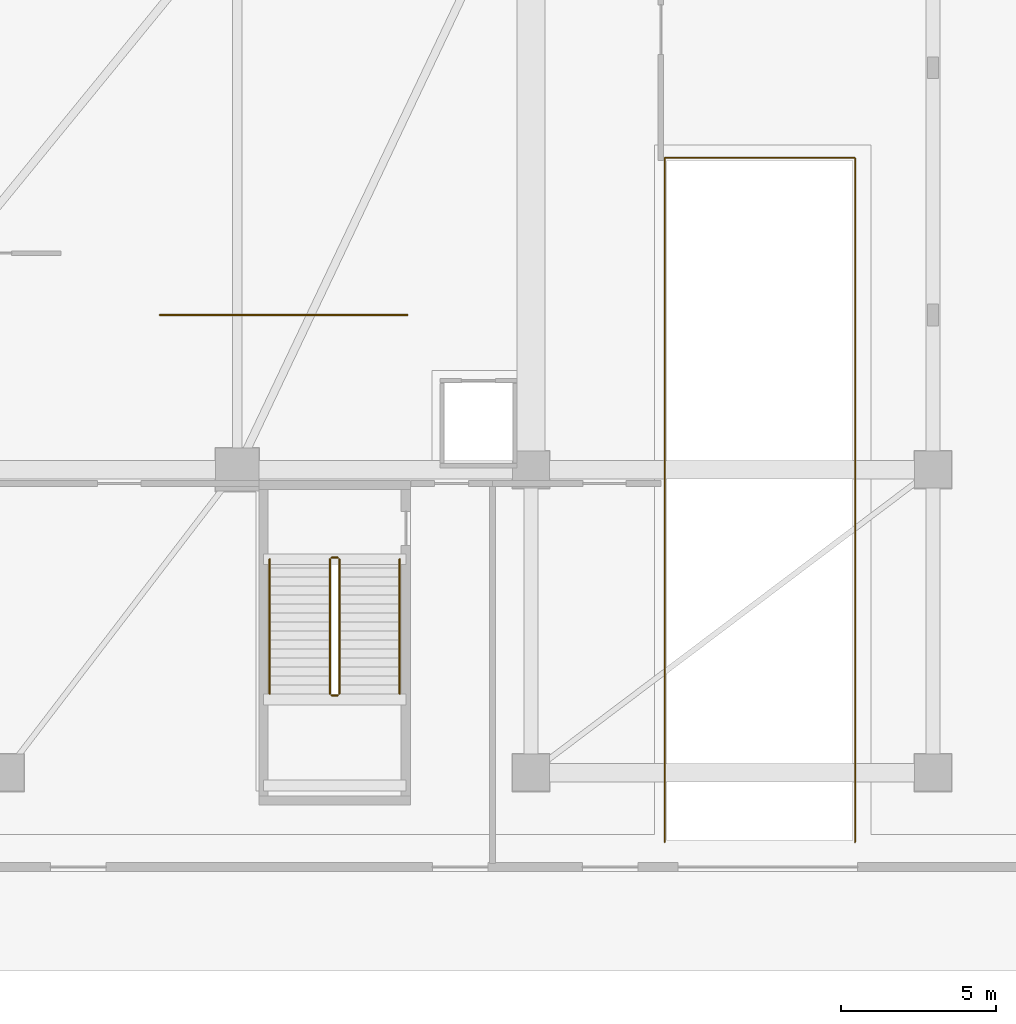
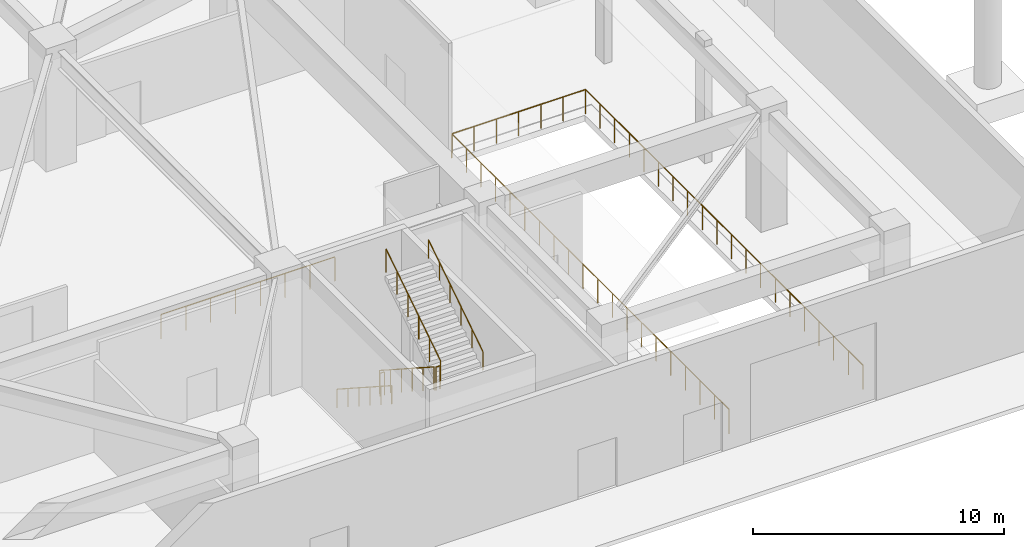
# One storey, part 8 of 13: 8 railings.
"""IFC4 building model written with IfcOpenShell, lengths in metres."""

from ifc_helpers import new_model, si_unit, direction, frame, origin, origin_2d, place, context, subcontext, project, spatial, circle, extrude, material, type_object, element, save


model = new_model("IFC4")

# Units and contexts
model_context = context("Model", 3, precision=1e-05, world=origin(), true_north=direction((0.0, 1.0)))
body_context = subcontext(model_context, "Body", "Model", "MODEL_VIEW")
ifc_project = project(units=[si_unit("LENGTHUNIT", "METRE"), si_unit("AREAUNIT", "SQUARE_METRE"), si_unit("VOLUMEUNIT", "CUBIC_METRE"), si_unit("PLANEANGLEUNIT", "RADIAN"), si_unit("MASSUNIT", "GRAM", prefix="KILO")], contexts=[model_context])

# Site, building, storey
site_placement = place(None, origin())
site = spatial("IfcSite", under=ifc_project, at=site_placement, CompositionType="ELEMENT")
building_placement = place(site_placement, origin())
building = spatial("IfcBuilding", under=site, at=building_placement, Name="Calvemar Wedge Station Tower", CompositionType="ELEMENT")
storey_placement = place(building_placement, origin())
storey = spatial("IfcBuildingStorey", under=building, at=storey_placement, Name="L01", CompositionType="ELEMENT", Elevation=0.0)

# Railings
ifc_material_1 = material(Name="Anodised aluminium 6063-T6", Category="aluminium")
railing_type_1 = type_object("IfcRailingType", Name="RL-BALUSTRADE-1200", PredefinedType="BALUSTRADE", material=ifc_material_1)
railing_1_placement = place(storey_placement, frame((36.0, 20.0, 0.0)))
element("IfcRailing", 1, at=railing_1_placement, inside=storey, type_object=railing_type_1, Name="Storey L01 Glazed Feature Balustrade 2", PredefinedType="BALUSTRADE", context=body_context, shape_type="SweptSolid", body=[
    extrude(circle(Radius=0.02392578125, at=origin_2d()), frame((0.0, 0.0, 1.17578125), z_axis=(1.0, 0.0, 0.0), x_axis=(0.0, 1.0, 0.0)), (0.0, 0.0, 1.0), 8.0),
    extrude(circle(Radius=0.02099609375, at=origin_2d()), origin(), (0.0, 0.0, 1.0), 1.15185546875),
    extrude(circle(Radius=0.02099609375, at=origin_2d()), frame((1.142822265625, 0.0, 0.0)), (0.0, 0.0, 1.0), 1.15185546875),
    extrude(circle(Radius=0.02099609375, at=origin_2d()), frame((2.28564453125, 0.0, 0.0)), (0.0, 0.0, 1.0), 1.15185546875),
    extrude(circle(Radius=0.02099609375, at=origin_2d()), frame((3.428466796875, 0.0, 0.0)), (0.0, 0.0, 1.0), 1.15185546875),
    extrude(circle(Radius=0.02099609375, at=origin_2d()), frame((4.571533203125, 0.0, 0.0)), (0.0, 0.0, 1.0), 1.15185546875),
    extrude(circle(Radius=0.02099609375, at=origin_2d()), frame((5.71435546875, 0.0, 0.0)), (0.0, 0.0, 1.0), 1.15185546875),
    extrude(circle(Radius=0.02099609375, at=origin_2d()), frame((6.857177734375, 0.0, 0.0)), (0.0, 0.0, 1.0), 1.15185546875),
    extrude(circle(Radius=0.02099609375, at=origin_2d()), frame((8.0, 0.0, 0.0)), (0.0, 0.0, 1.0), 1.15185546875),
])
ifc_material_2 = material(Name="Stainless steel AISI 316L", Category="steel")
railing_type_2 = type_object("IfcRailingType", Name="RL-HANDRAIL-920", PredefinedType="HANDRAIL", material=ifc_material_2)
railing_2_placement = place(storey_placement, frame((39.550048828125, 12.10009765625, 0.1875)))
element("IfcRailing", 2, at=railing_2_placement, inside=storey, type_object=railing_type_2, Name="L01 ST-P2 stair handrail 1", PredefinedType="HANDRAIL", context=body_context, shape_type="SweptSolid", body=[
    extrude(circle(Radius=0.02392578125, at=origin_2d()), frame((0.0, 0.0, 0.89599609375), z_axis=(0.0, -0.839769887392, 0.54294247967), x_axis=(1.0, 0.0, 0.0)), (0.0, 0.0, 1.0), 5.18017578125),
    extrude(circle(Radius=0.02099609375, at=origin_2d()), origin(), (0.0, 0.0, 1.0), 0.871826171875),
    extrude(circle(Radius=0.02099609375, at=origin_2d()), frame((0.0, -0.8701171875, 0.5625)), (0.0, 0.0, 1.0), 0.871826171875),
    extrude(circle(Radius=0.02099609375, at=origin_2d()), frame((0.0, -1.739990234375, 1.125)), (0.0, 0.0, 1.0), 0.871826171875),
    extrude(circle(Radius=0.02099609375, at=origin_2d()), frame((0.0, -2.610107421875, 1.6875)), (0.0, 0.0, 1.0), 0.871826171875),
    extrude(circle(Radius=0.02099609375, at=origin_2d()), frame((0.0, -3.47998046875, 2.25)), (0.0, 0.0, 1.0), 0.871826171875),
    extrude(circle(Radius=0.02099609375, at=origin_2d()), frame((0.0, -4.35009765625, 2.8125)), (0.0, 0.0, 1.0), 0.871826171875),
])
railing_3_placement = place(storey_placement, frame((43.75, 7.75, 3.1875)))
element("IfcRailing", 3, at=railing_3_placement, inside=storey, type_object=railing_type_2, Name="L01 ST-P2 stair handrail 2", PredefinedType="HANDRAIL", context=body_context, shape_type="SweptSolid", body=[
    extrude(circle(Radius=0.02392578125, at=origin_2d()), frame((0.0, 0.0, 0.89599609375), z_axis=(0.0, 0.839769887392, 0.54294247967), x_axis=(-1.0, 0.0, 0.0)), (0.0, 0.0, 1.0), 5.18017578125),
    extrude(circle(Radius=0.02099609375, at=origin_2d()), origin(), (0.0, 0.0, 1.0), 0.871826171875),
    extrude(circle(Radius=0.02099609375, at=origin_2d()), frame((0.0, 0.8701171875, 0.5625)), (0.0, 0.0, 1.0), 0.871826171875),
    extrude(circle(Radius=0.02099609375, at=origin_2d()), frame((0.0, 1.739990234375, 1.125)), (0.0, 0.0, 1.0), 0.871826171875),
    extrude(circle(Radius=0.02099609375, at=origin_2d()), frame((0.0, 2.610107421875, 1.6875)), (0.0, 0.0, 1.0), 0.871826171875),
    extrude(circle(Radius=0.02099609375, at=origin_2d()), frame((0.0, 3.47998046875, 2.25)), (0.0, 0.0, 1.0), 0.871826171875),
    extrude(circle(Radius=0.02099609375, at=origin_2d()), frame((0.0, 4.35009765625, 2.8125)), (0.0, 0.0, 1.0), 0.871826171875),
])
ifc_material_3 = material(Name="Painted steel guardrail ASTM A500 Grade C", Category="steel")
railing_type_3 = type_object("IfcRailingType", Name="RL-STAIR-GUARD-1150", PredefinedType="GUARDRAIL", material=ifc_material_3)
railing_4_placement = place(storey_placement, frame((41.5, 12.10009765625, 0.1875)))
element("IfcRailing", 4, at=railing_4_placement, inside=storey, type_object=railing_type_3, Name="L01 ST-P2 stair guard 1", PredefinedType="GUARDRAIL", context=body_context, shape_type="SweptSolid", body=[
    extrude(circle(Radius=0.02392578125, at=origin_2d()), frame((0.0, 0.0, 1.1259765625), z_axis=(0.0, -0.839769887392, 0.54294247967), x_axis=(1.0, 0.0, 0.0)), (0.0, 0.0, 1.0), 5.18017578125),
    extrude(circle(Radius=0.02099609375, at=origin_2d()), origin(), (0.0, 0.0, 1.0), 1.101806640625),
    extrude(circle(Radius=0.02099609375, at=origin_2d()), frame((0.0, -0.8701171875, 0.5625)), (0.0, 0.0, 1.0), 1.101806640625),
    extrude(circle(Radius=0.02099609375, at=origin_2d()), frame((0.0, -1.739990234375, 1.125)), (0.0, 0.0, 1.0), 1.101806640625),
    extrude(circle(Radius=0.02099609375, at=origin_2d()), frame((0.0, -2.610107421875, 1.6875)), (0.0, 0.0, 1.0), 1.101806640625),
    extrude(circle(Radius=0.02099609375, at=origin_2d()), frame((0.0, -3.47998046875, 2.25)), (0.0, 0.0, 1.0), 1.101806640625),
    extrude(circle(Radius=0.02099609375, at=origin_2d()), frame((0.0, -4.35009765625, 2.8125)), (0.0, 0.0, 1.0), 1.101806640625),
])
railing_5_placement = place(storey_placement, frame((41.550048828125, 7.699951171875, 3.0)))
element("IfcRailing", 5, at=railing_5_placement, inside=storey, type_object=railing_type_3, Name="L01 ST-P2 stair guard 2", PredefinedType="GUARDRAIL", context=body_context, shape_type="SweptSolid", body=[
    extrude(circle(Radius=0.02392578125, at=origin_2d()), frame((0.0, 0.0, 1.1259765625), z_axis=(1.0, 0.0, 0.0), x_axis=(0.0, 1.0, 0.0)), (0.0, 0.0, 1.0), 0.199951171875),
    extrude(circle(Radius=0.02099609375, at=origin_2d()), origin(), (0.0, 0.0, 1.0), 1.101806640625),
    extrude(circle(Radius=0.02099609375, at=origin_2d()), frame((0.199951171875, 0.0, 0.0)), (0.0, 0.0, 1.0), 1.101806640625),
])
railing_6_placement = place(storey_placement, frame((41.800048828125, 7.75, 3.1875)))
element("IfcRailing", 6, at=railing_6_placement, inside=storey, type_object=railing_type_3, Name="L01 ST-P2 stair guard 3", PredefinedType="GUARDRAIL", context=body_context, shape_type="SweptSolid", body=[
    extrude(circle(Radius=0.02392578125, at=origin_2d()), frame((0.0, 0.0, 1.1259765625), z_axis=(0.0, 0.839769887392, 0.54294247967), x_axis=(-1.0, 0.0, 0.0)), (0.0, 0.0, 1.0), 5.18017578125),
    extrude(circle(Radius=0.02099609375, at=origin_2d()), origin(), (0.0, 0.0, 1.0), 1.101806640625),
    extrude(circle(Radius=0.02099609375, at=origin_2d()), frame((0.0, 0.8701171875, 0.5625)), (0.0, 0.0, 1.0), 1.101806640625),
    extrude(circle(Radius=0.02099609375, at=origin_2d()), frame((0.0, 1.739990234375, 1.125)), (0.0, 0.0, 1.0), 1.101806640625),
    extrude(circle(Radius=0.02099609375, at=origin_2d()), frame((0.0, 2.610107421875, 1.6875)), (0.0, 0.0, 1.0), 1.101806640625),
    extrude(circle(Radius=0.02099609375, at=origin_2d()), frame((0.0, 3.47998046875, 2.25)), (0.0, 0.0, 1.0), 1.101806640625),
    extrude(circle(Radius=0.02099609375, at=origin_2d()), frame((0.0, 4.35009765625, 2.8125)), (0.0, 0.0, 1.0), 1.101806640625),
])
railing_7_placement = place(storey_placement, frame((41.550048828125, 12.14990234375, 0.0)))
element("IfcRailing", 7, at=railing_7_placement, inside=storey, type_object=railing_type_3, Name="L01 ST-P2 stair guard 4", PredefinedType="GUARDRAIL", context=body_context, shape_type="SweptSolid", body=[
    extrude(circle(Radius=0.02392578125, at=origin_2d()), frame((0.0, 0.0, 1.1259765625), z_axis=(1.0, 0.0, 0.0), x_axis=(0.0, 1.0, 0.0)), (0.0, 0.0, 1.0), 0.199951171875),
    extrude(circle(Radius=0.02099609375, at=origin_2d()), origin(), (0.0, 0.0, 1.0), 1.101806640625),
    extrude(circle(Radius=0.02099609375, at=origin_2d()), frame((0.199951171875, 0.0, 0.0)), (0.0, 0.0, 1.0), 1.101806640625),
])
railing_8_placement = place(storey_placement, frame((52.320068359375, 2.949951171875, 0.0)))
element("IfcRailing", 8, at=railing_8_placement, inside=storey, type_object=railing_type_3, Name="L01 Vehicle Ramp Opening Perimeter Guardrail", PredefinedType="GUARDRAIL", context=body_context, shape_type="SweptSolid", body=[
    extrude(circle(Radius=0.02392578125, at=origin_2d()), frame((0.0, 0.0, 1.17578125), z_axis=(0.0, 1.0, 0.0), x_axis=(-1.0, 0.0, 0.0)), (0.0, 0.0, 1.0), 22.130126953125),
    extrude(circle(Radius=0.02392578125, at=origin_2d()), frame((0.0, 22.130126953125, 1.17578125), z_axis=(1.0, 0.0, 0.0), x_axis=(0.0, 1.0, 0.0)), (0.0, 0.0, 1.0), 6.159912109375),
    extrude(circle(Radius=0.02392578125, at=origin_2d()), frame((6.159912109375, 22.130126953125, 1.17578125), z_axis=(0.0, -1.0, 0.0), x_axis=(1.0, 0.0, 0.0)), (0.0, 0.0, 1.0), 22.130126953125),
    extrude(circle(Radius=0.02099609375, at=origin_2d()), origin(), (0.0, 0.0, 1.0), 1.15185546875),
    extrude(circle(Radius=0.02099609375, at=origin_2d()), frame((0.0, 1.164794921875, 0.0)), (0.0, 0.0, 1.0), 1.15185546875),
    extrude(circle(Radius=0.02099609375, at=origin_2d()), frame((0.0, 2.32958984375, 0.0)), (0.0, 0.0, 1.0), 1.15185546875),
    extrude(circle(Radius=0.02099609375, at=origin_2d()), frame((0.0, 3.494140625, 0.0)), (0.0, 0.0, 1.0), 1.15185546875),
    extrude(circle(Radius=0.02099609375, at=origin_2d()), frame((0.0, 4.658935546875, 0.0)), (0.0, 0.0, 1.0), 1.15185546875),
    extrude(circle(Radius=0.02099609375, at=origin_2d()), frame((0.0, 5.82373046875, 0.0)), (0.0, 0.0, 1.0), 1.15185546875),
    extrude(circle(Radius=0.02099609375, at=origin_2d()), frame((0.0, 6.988525390625, 0.0)), (0.0, 0.0, 1.0), 1.15185546875),
    extrude(circle(Radius=0.02099609375, at=origin_2d()), frame((0.0, 8.1533203125, 0.0)), (0.0, 0.0, 1.0), 1.15185546875),
    extrude(circle(Radius=0.02099609375, at=origin_2d()), frame((0.0, 9.31787109375, 0.0)), (0.0, 0.0, 1.0), 1.15185546875),
    extrude(circle(Radius=0.02099609375, at=origin_2d()), frame((0.0, 10.482666015625, 0.0)), (0.0, 0.0, 1.0), 1.15185546875),
    extrude(circle(Radius=0.02099609375, at=origin_2d()), frame((0.0, 11.6474609375, 0.0)), (0.0, 0.0, 1.0), 1.15185546875),
    extrude(circle(Radius=0.02099609375, at=origin_2d()), frame((0.0, 12.812255859375, 0.0)), (0.0, 0.0, 1.0), 1.15185546875),
    extrude(circle(Radius=0.02099609375, at=origin_2d()), frame((0.0, 13.976806640625, 0.0)), (0.0, 0.0, 1.0), 1.15185546875),
    extrude(circle(Radius=0.02099609375, at=origin_2d()), frame((0.0, 15.1416015625, 0.0)), (0.0, 0.0, 1.0), 1.15185546875),
    extrude(circle(Radius=0.02099609375, at=origin_2d()), frame((0.0, 16.306396484375, 0.0)), (0.0, 0.0, 1.0), 1.15185546875),
    extrude(circle(Radius=0.02099609375, at=origin_2d()), frame((0.0, 17.47119140625, 0.0)), (0.0, 0.0, 1.0), 1.15185546875),
    extrude(circle(Radius=0.02099609375, at=origin_2d()), frame((0.0, 18.635986328125, 0.0)), (0.0, 0.0, 1.0), 1.15185546875),
    extrude(circle(Radius=0.02099609375, at=origin_2d()), frame((0.0, 19.800537109375, 0.0)), (0.0, 0.0, 1.0), 1.15185546875),
    extrude(circle(Radius=0.02099609375, at=origin_2d()), frame((0.0, 20.96533203125, 0.0)), (0.0, 0.0, 1.0), 1.15185546875),
    extrude(circle(Radius=0.02099609375, at=origin_2d()), frame((0.0, 22.130126953125, 0.0)), (0.0, 0.0, 1.0), 1.15185546875),
    extrude(circle(Radius=0.02099609375, at=origin_2d()), frame((1.026611328125, 22.130126953125, 0.0)), (0.0, 0.0, 1.0), 1.15185546875),
    extrude(circle(Radius=0.02099609375, at=origin_2d()), frame((2.05322265625, 22.130126953125, 0.0)), (0.0, 0.0, 1.0), 1.15185546875),
    extrude(circle(Radius=0.02099609375, at=origin_2d()), frame((3.080078125, 22.130126953125, 0.0)), (0.0, 0.0, 1.0), 1.15185546875),
    extrude(circle(Radius=0.02099609375, at=origin_2d()), frame((4.106689453125, 22.130126953125, 0.0)), (0.0, 0.0, 1.0), 1.15185546875),
    extrude(circle(Radius=0.02099609375, at=origin_2d()), frame((5.13330078125, 22.130126953125, 0.0)), (0.0, 0.0, 1.0), 1.15185546875),
    extrude(circle(Radius=0.02099609375, at=origin_2d()), frame((6.159912109375, 22.130126953125, 0.0)), (0.0, 0.0, 1.0), 1.15185546875),
    extrude(circle(Radius=0.02099609375, at=origin_2d()), frame((6.159912109375, 20.96533203125, 0.0)), (0.0, 0.0, 1.0), 1.15185546875),
    extrude(circle(Radius=0.02099609375, at=origin_2d()), frame((6.159912109375, 19.800537109375, 0.0)), (0.0, 0.0, 1.0), 1.15185546875),
    extrude(circle(Radius=0.02099609375, at=origin_2d()), frame((6.159912109375, 18.635986328125, 0.0)), (0.0, 0.0, 1.0), 1.15185546875),
    extrude(circle(Radius=0.02099609375, at=origin_2d()), frame((6.159912109375, 17.47119140625, 0.0)), (0.0, 0.0, 1.0), 1.15185546875),
    extrude(circle(Radius=0.02099609375, at=origin_2d()), frame((6.159912109375, 16.306396484375, 0.0)), (0.0, 0.0, 1.0), 1.15185546875),
    extrude(circle(Radius=0.02099609375, at=origin_2d()), frame((6.159912109375, 15.1416015625, 0.0)), (0.0, 0.0, 1.0), 1.15185546875),
    extrude(circle(Radius=0.02099609375, at=origin_2d()), frame((6.159912109375, 13.976806640625, 0.0)), (0.0, 0.0, 1.0), 1.15185546875),
    extrude(circle(Radius=0.02099609375, at=origin_2d()), frame((6.159912109375, 12.812255859375, 0.0)), (0.0, 0.0, 1.0), 1.15185546875),
    extrude(circle(Radius=0.02099609375, at=origin_2d()), frame((6.159912109375, 11.6474609375, 0.0)), (0.0, 0.0, 1.0), 1.15185546875),
    extrude(circle(Radius=0.02099609375, at=origin_2d()), frame((6.159912109375, 10.482666015625, 0.0)), (0.0, 0.0, 1.0), 1.15185546875),
    extrude(circle(Radius=0.02099609375, at=origin_2d()), frame((6.159912109375, 9.31787109375, 0.0)), (0.0, 0.0, 1.0), 1.15185546875),
    extrude(circle(Radius=0.02099609375, at=origin_2d()), frame((6.159912109375, 8.1533203125, 0.0)), (0.0, 0.0, 1.0), 1.15185546875),
    extrude(circle(Radius=0.02099609375, at=origin_2d()), frame((6.159912109375, 6.988525390625, 0.0)), (0.0, 0.0, 1.0), 1.15185546875),
    extrude(circle(Radius=0.02099609375, at=origin_2d()), frame((6.159912109375, 5.82373046875, 0.0)), (0.0, 0.0, 1.0), 1.15185546875),
    extrude(circle(Radius=0.02099609375, at=origin_2d()), frame((6.159912109375, 4.658935546875, 0.0)), (0.0, 0.0, 1.0), 1.15185546875),
    extrude(circle(Radius=0.02099609375, at=origin_2d()), frame((6.159912109375, 3.494140625, 0.0)), (0.0, 0.0, 1.0), 1.15185546875),
    extrude(circle(Radius=0.02099609375, at=origin_2d()), frame((6.159912109375, 2.32958984375, 0.0)), (0.0, 0.0, 1.0), 1.15185546875),
    extrude(circle(Radius=0.02099609375, at=origin_2d()), frame((6.159912109375, 1.164794921875, 0.0)), (0.0, 0.0, 1.0), 1.15185546875),
    extrude(circle(Radius=0.02099609375, at=origin_2d()), frame((6.159912109375, 0.0, 0.0)), (0.0, 0.0, 1.0), 1.15185546875),
])

save(model, "model.ifc")
